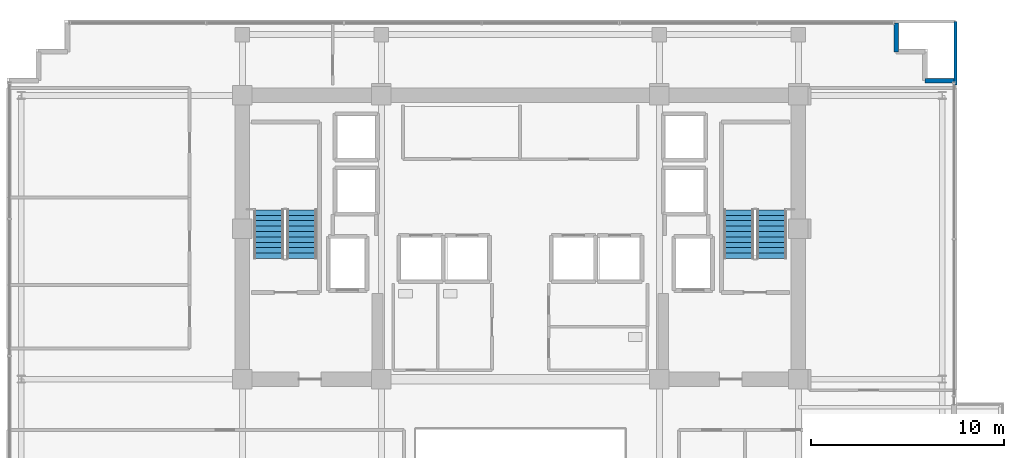
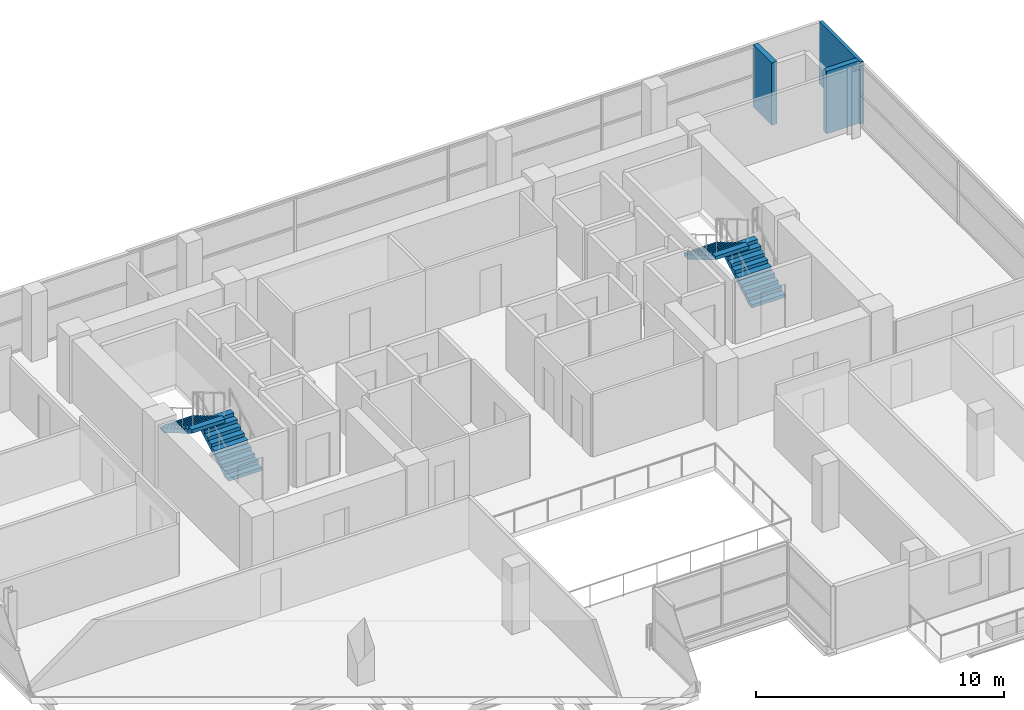
# One storey, part 21 of 25: 4 stair flights, 3 walls, 2 elements without a shape of their own.
"""IFC4 building model written with IfcOpenShell, lengths in metres."""

from ifc_helpers import new_model, si_unit, direction, frame, frame_2d, origin, place, context, subcontext, project, spatial, polyline, rectangle, outline, extrude, material, layer, layer_set, type_object, element, aggregate, save


model = new_model("IFC4")

# Units and contexts
model_context = context("Model", 3, precision=1e-05, world=origin(), true_north=direction((0.0, 1.0)))
body_context = subcontext(model_context, "Body", "Model", "MODEL_VIEW")
ifc_project = project(units=[si_unit("LENGTHUNIT", "METRE"), si_unit("AREAUNIT", "SQUARE_METRE"), si_unit("VOLUMEUNIT", "CUBIC_METRE"), si_unit("PLANEANGLEUNIT", "RADIAN"), si_unit("MASSUNIT", "GRAM", prefix="KILO")], contexts=[model_context])

# Site, building, storey
site_placement = place(None, origin())
site = spatial("IfcSite", under=ifc_project, at=site_placement, CompositionType="ELEMENT")
building_placement = place(site_placement, origin())
building = spatial("IfcBuilding", under=site, at=building_placement, Name="Zarnakvel Exchange Tower", CompositionType="ELEMENT")
storey_placement = place(building_placement, frame((0.0, 0.0, 156.10009765625)))
storey = spatial("IfcBuildingStorey", under=building, at=storey_placement, Name="L43", CompositionType="ELEMENT", Elevation=156.10009765625)

# Walls
ifc_material_1 = material(Name="Precast concrete C40/50", Category="concrete")
ifc_layer_1 = layer(ifc_material_1, 0.239990234375)
ifc_layer_set_1 = layer_set([ifc_layer_1], Name="Precast concrete C40/50")
wall_type_1 = type_object("IfcWallType", Name="EW-02", PredefinedType="SOLIDWALL", material=ifc_layer_set_1)
for number, where, z_axis, x_axis, name in (
    (1, (19.4599609375, 15.760009765625, 0.0), (0.0, 0.0, 1.0), (0.0, 1.0, 0.0), "L43 Exterior Precast Spandrel Wall EWC-L43-05 (EW-02)"),
    (2, (22.4599609375, 14.260009765625, 0.0), (0.0, 0.0, 1.0), (-1.0, 0.0, 0.0), "L43 Exterior Precast Spandrel Wall EWC-L43-08 (EW-02)"),
):
    element("IfcWall", number, at=place(storey_placement, frame(where, z_axis=z_axis, x_axis=x_axis)), inside=storey, type_object=wall_type_1, Name=name, PredefinedType="SOLIDWALL", context=body_context, shape_type="SweptSolid", body=[
        extrude(rectangle(XDim=1.5, YDim=0.239990234375, at=frame_2d((0.75, 0.0))), origin(), (0.0, 0.0, 1.0), 3.074951171875),
    ])
ifc_material_2 = material(Name="Fire-Rated Gypsum Stud Partition", Category="gypsum")
ifc_layer_2 = layer(ifc_material_2, 0.14990234375)
ifc_layer_set_2 = layer_set([ifc_layer_2], Name="Fire-Rated Gypsum Stud Partition")
wall_type_2 = type_object("IfcWallType", Name="PT-01", PredefinedType="PARTITIONING", material=ifc_layer_set_2)
wall_placement = place(storey_placement, frame((22.530029296875, 17.330078125, 0.0), z_axis=(0.0, 0.0, 1.0), x_axis=(0.0, -1.0, 0.0)))
element("IfcWall", 3, at=wall_placement, inside=storey, type_object=wall_type_2, Name="L43 Partition Wall PWALL-L43-062 (PT-01)", PredefinedType="PARTITIONING", context=body_context, shape_type="SweptSolid", body=[
    extrude(rectangle(XDim=3.300048828125, YDim=0.14990234375, at=frame_2d((1.64990234375, 0.0))), origin(), (0.0, 0.0, 1.0), 3.074951171875),
])

# Stair, stair flights
ifc_material_3 = material(Name="Concrete C40/50", Category="concrete")
stair_type = type_object("IfcStairType", Name="STR-01", PredefinedType="HALF_TURN_STAIR", material=ifc_material_3)
stair_1_placement = place(storey_placement, origin())
stair_1 = element("IfcStair", 4, at=stair_1_placement, inside=storey, type_object=stair_type, Name="L43 Protected Core Exit Stair ST-01", PredefinedType="HALF_TURN_STAIR")
stair_flight_type = type_object("IfcStairFlightType", Name="FLT-01", PredefinedType="STRAIGHT", material=ifc_material_3)
stair_flight_1_placement = place(storey_placement, frame((-11.31494140625, 5.050048828125, 0.0), z_axis=(0.0, 0.0, 1.0), x_axis=(0.0, 1.0, 0.0)))
stair_flight_1 = element("IfcStairFlight", 5, at=stair_flight_1_placement, type_object=stair_flight_type, Name="ST-01 flight 1", NumberOfRisers=10, NumberOfTreads=9, PredefinedType="STRAIGHT", RiserHeight=0.165, TreadLength=0.28, context=body_context, shape_type="SweptSolid", body=[
    extrude(outline(polyline([(0.0, 0.0), (0.0, 0.1650390625), (0.280029296875, 0.1650390625), (0.280029296875, 0.330078125), (0.56005859375, 0.330078125), (0.56005859375, 0.4951171875), (0.840087890625, 0.4951171875), (0.840087890625, 0.659912109375), (1.1201171875, 0.659912109375), (1.1201171875, 0.824951171875), (1.39990234375, 0.824951171875), (1.39990234375, 0.989990234375), (1.679931640625, 0.989990234375), (1.679931640625, 1.155029296875), (1.9599609375, 1.155029296875), (1.9599609375, 1.320068359375), (2.239990234375, 1.320068359375), (2.239990234375, 1.485107421875), (2.52001953125, 1.485107421875), (2.52001953125, 1.64990234375), (2.52001953125, 1.31103515625), (0.295166015625, 0.0), (0.0, 0.0)])), frame((0.0, 0.77490234375, 0.0), z_axis=(0.0, -1.0, 0.0), x_axis=(1.0, 0.0, 0.0)), (0.0, 0.0, 1.0), 1.550048828125),
])
stair_flight_2_placement = place(storey_placement, frame((-13.02490234375, 7.570068359375, 1.64990234375), z_axis=(0.0, 0.0, 1.0), x_axis=(0.0, -1.0, 0.0)))
stair_flight_2 = element("IfcStairFlight", 6, at=stair_flight_2_placement, type_object=stair_flight_type, Name="ST-01 flight 2", NumberOfRisers=10, NumberOfTreads=9, PredefinedType="STRAIGHT", RiserHeight=0.165, TreadLength=0.28, context=body_context, shape_type="SweptSolid", body=[
    extrude(outline(polyline([(0.0, 0.0), (0.0, 0.1650390625), (0.280029296875, 0.1650390625), (0.280029296875, 0.330078125), (0.56005859375, 0.330078125), (0.56005859375, 0.4951171875), (0.840087890625, 0.4951171875), (0.840087890625, 0.659912109375), (1.1201171875, 0.659912109375), (1.1201171875, 0.824951171875), (1.39990234375, 0.824951171875), (1.39990234375, 0.989990234375), (1.679931640625, 0.989990234375), (1.679931640625, 1.155029296875), (1.9599609375, 1.155029296875), (1.9599609375, 1.320068359375), (2.239990234375, 1.320068359375), (2.239990234375, 1.485107421875), (2.52001953125, 1.485107421875), (2.52001953125, 1.64990234375), (2.52001953125, 1.31103515625), (0.295166015625, 0.0), (0.0, 0.0)])), frame((0.0, 0.77490234375, 0.0), z_axis=(0.0, -1.0, 0.0), x_axis=(1.0, 0.0, 0.0)), (0.0, 0.0, 1.0), 1.550048828125),
])
aggregate(stair_1, [stair_flight_1, stair_flight_2])

stair_2_placement = place(storey_placement, origin())
stair_2 = element("IfcStair", 7, at=stair_2_placement, inside=storey, type_object=stair_type, Name="L43 Protected Core Exit Stair ST-02", PredefinedType="HALF_TURN_STAIR")
stair_flight_3_placement = place(storey_placement, frame((13.02490234375, 5.050048828125, 0.0), z_axis=(0.0, 0.0, 1.0), x_axis=(0.0, 1.0, 0.0)))
stair_flight_3 = element("IfcStairFlight", 8, at=stair_flight_3_placement, type_object=stair_flight_type, Name="ST-02 flight 1", NumberOfRisers=10, NumberOfTreads=9, PredefinedType="STRAIGHT", RiserHeight=0.165, TreadLength=0.28, context=body_context, shape_type="SweptSolid", body=[
    extrude(outline(polyline([(0.0, 0.0), (0.0, 0.1650390625), (0.280029296875, 0.1650390625), (0.280029296875, 0.330078125), (0.56005859375, 0.330078125), (0.56005859375, 0.4951171875), (0.840087890625, 0.4951171875), (0.840087890625, 0.659912109375), (1.1201171875, 0.659912109375), (1.1201171875, 0.824951171875), (1.39990234375, 0.824951171875), (1.39990234375, 0.989990234375), (1.679931640625, 0.989990234375), (1.679931640625, 1.155029296875), (1.9599609375, 1.155029296875), (1.9599609375, 1.320068359375), (2.239990234375, 1.320068359375), (2.239990234375, 1.485107421875), (2.52001953125, 1.485107421875), (2.52001953125, 1.64990234375), (2.52001953125, 1.31103515625), (0.295166015625, 0.0), (0.0, 0.0)])), frame((0.0, 0.77490234375, 0.0), z_axis=(0.0, -1.0, 0.0), x_axis=(1.0, 0.0, 0.0)), (0.0, 0.0, 1.0), 1.550048828125),
])
stair_flight_4_placement = place(storey_placement, frame((11.31494140625, 7.570068359375, 1.64990234375), z_axis=(0.0, 0.0, 1.0), x_axis=(0.0, -1.0, 0.0)))
stair_flight_4 = element("IfcStairFlight", 9, at=stair_flight_4_placement, type_object=stair_flight_type, Name="ST-02 flight 2", NumberOfRisers=10, NumberOfTreads=9, PredefinedType="STRAIGHT", RiserHeight=0.165, TreadLength=0.28, context=body_context, shape_type="SweptSolid", body=[
    extrude(outline(polyline([(0.0, 0.0), (0.0, 0.1650390625), (0.280029296875, 0.1650390625), (0.280029296875, 0.330078125), (0.56005859375, 0.330078125), (0.56005859375, 0.4951171875), (0.840087890625, 0.4951171875), (0.840087890625, 0.659912109375), (1.1201171875, 0.659912109375), (1.1201171875, 0.824951171875), (1.39990234375, 0.824951171875), (1.39990234375, 0.989990234375), (1.679931640625, 0.989990234375), (1.679931640625, 1.155029296875), (1.9599609375, 1.155029296875), (1.9599609375, 1.320068359375), (2.239990234375, 1.320068359375), (2.239990234375, 1.485107421875), (2.52001953125, 1.485107421875), (2.52001953125, 1.64990234375), (2.52001953125, 1.31103515625), (0.295166015625, 0.0), (0.0, 0.0)])), frame((0.0, 0.77490234375, 0.0), z_axis=(0.0, -1.0, 0.0), x_axis=(1.0, 0.0, 0.0)), (0.0, 0.0, 1.0), 1.550048828125),
])
aggregate(stair_2, [stair_flight_3, stair_flight_4])

save(model, "model.ifc")
